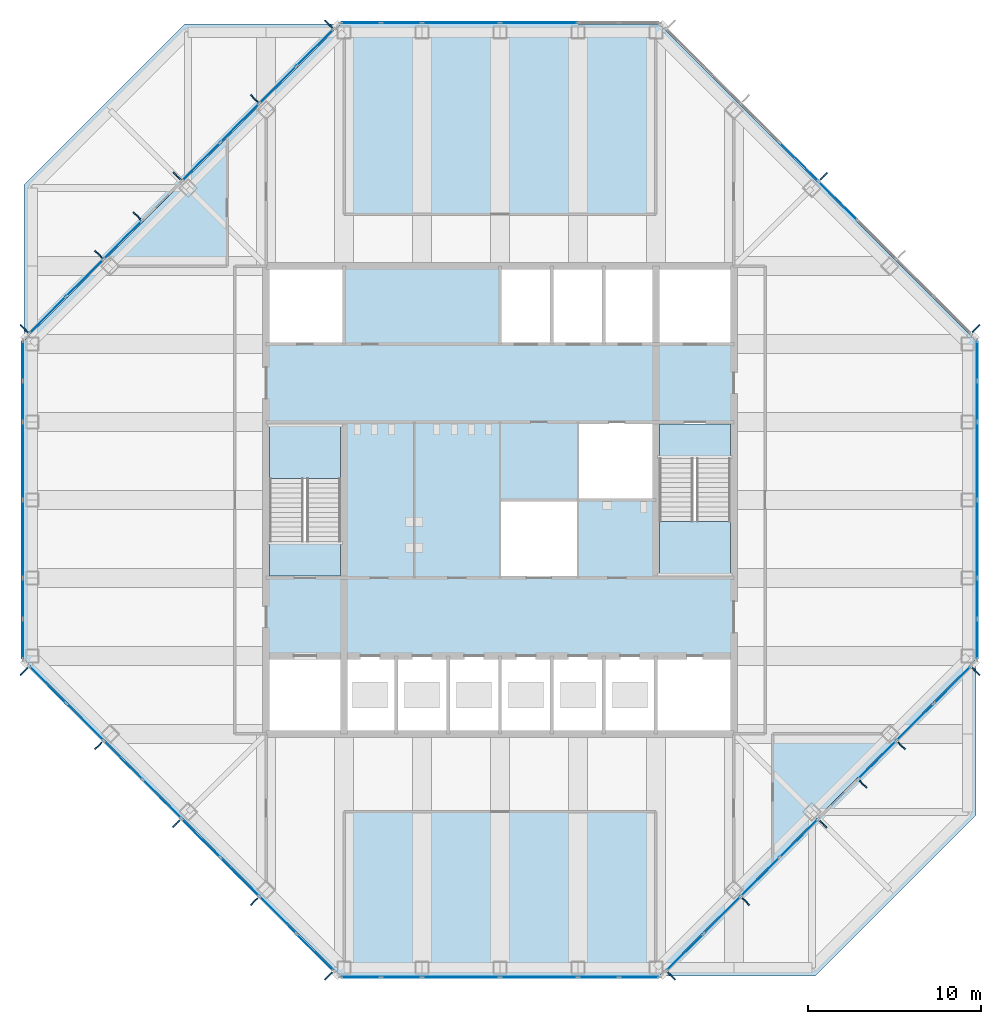
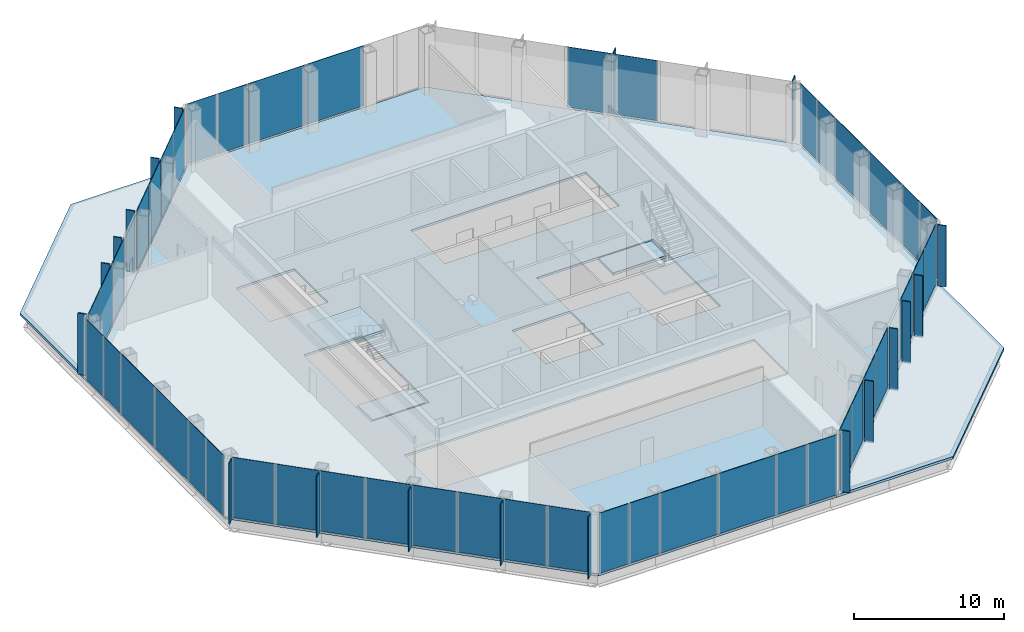
# One storey, part 6 of 12: 65 plates, 7 slabs, 12 elements without a shape of their own.
"""IFC4 building model written with IfcOpenShell, lengths in metres."""

from ifc_helpers import new_model, si_unit, direction, frame, origin, origin_2d, place, context, subcontext, project, spatial, polyline, rectangle, outline, extrude, material, layer, layer_set, type_object, element, aggregate, save


model = new_model("IFC4")

# Units and contexts
model_context = context("Model", 3, precision=1e-05, world=origin(), true_north=direction((0.0, 1.0)))
body_context = subcontext(model_context, "Body", "Model", "MODEL_VIEW")
ifc_project = project(units=[si_unit("LENGTHUNIT", "METRE"), si_unit("AREAUNIT", "SQUARE_METRE"), si_unit("VOLUMEUNIT", "CUBIC_METRE"), si_unit("PLANEANGLEUNIT", "RADIAN"), si_unit("MASSUNIT", "GRAM", prefix="KILO")], contexts=[model_context])

# Site, building, storey
site_placement = place(None, origin())
site = spatial("IfcSite", under=ifc_project, at=site_placement, CompositionType="ELEMENT")
building_placement = place(site_placement, origin())
building = spatial("IfcBuilding", under=site, at=building_placement, Name="Corais Broadcast Tower", CompositionType="ELEMENT")
storey_placement = place(building_placement, frame((0.0, 0.0, 205.60009765625)))
storey = spatial("IfcBuildingStorey", under=building, at=storey_placement, Name="L47", CompositionType="ELEMENT", Elevation=205.60009765625)

# Slab
ifc_material_1 = material(Name="Concrete C30/37", Category="concrete")
ifc_layer_1 = layer(ifc_material_1, 0.179931640625)
ifc_layer_set_1 = layer_set([ifc_layer_1], Name="Concrete C30/37")
slab_type_1 = type_object("IfcSlabType", Name="Composite floor slab 180", PredefinedType="FLOOR", material=ifc_layer_set_1)
slab_1_placement = place(storey_placement, frame((0.0, 0.0, -0.18017578125)))
element("IfcSlab", 1, at=slab_1_placement, inside=storey, type_object=slab_type_1, Name="S180 floor slab L47", PredefinedType="FLOOR", context=body_context, shape_type="SweptSolid", body=[
    extrude(outline(polyline([(17.80126953125, -0.47998046875), (-0.47998046875, 17.80126953125), (-0.47998046875, 36.19873046875), (17.80126953125, 54.47998046875), (36.19873046875, 54.47998046875), (54.47998046875, 36.19873046875), (54.47998046875, 17.80126953125), (36.19873046875, -0.47998046875), (17.80126953125, -0.47998046875)]), holes=[polyline([(13.5, 18.0), (40.5, 18.0), (40.5, 13.5), (13.5, 13.5), (13.5, 18.0)]), polyline([(18.0, 22.5), (13.5, 22.5), (13.5, 31.5), (18.0, 31.5), (18.0, 22.5)]), polyline([(18.0, 36.0), (13.5, 36.0), (13.5, 40.5), (18.0, 40.5), (18.0, 36.0)]), polyline([(31.5, 22.5), (27.0, 22.5), (27.0, 27.0), (31.4951171875, 27.0), (31.4951171875, 27.0048828125), (31.5, 27.0048828125), (31.5, 31.5), (40.5, 31.5), (40.5, 22.5), (36.0, 22.5), (36.0, 27.0), (31.5048828125, 27.0), (31.5048828125, 26.9951171875), (31.5, 26.9951171875), (31.5, 22.5)]), polyline([(27.0, 40.5), (40.5, 40.5), (40.5, 36.0), (27.0, 36.0), (27.0, 40.5)])]), origin(), (0.0, 0.0, 1.0), 0.18017578125),
])

# Curtain wall, plates
ifc_material_2 = material(Name="Aluminium and glass", Category="aluminium")
curtain_wall_type = type_object("IfcCurtainWallType", Name="Sky lobby curtain wall CW4", PredefinedType="NOTDEFINED", material=ifc_material_2)
curtain_wall_1_placement = place(storey_placement, origin())
curtain_wall_1 = element("IfcCurtainWall", 2, at=curtain_wall_1_placement, inside=storey, type_object=curtain_wall_type, Name="CW4 curtain wall L47 1", PredefinedType="NOTDEFINED")
ifc_material_3 = material(Name="Ceramic-fritted laminated glass", Category="glass")
ifc_layer_2 = layer(ifc_material_3, 0.035888671875)
ifc_layer_set_2 = layer_set([ifc_layer_2], Name="Ceramic-fritted laminated glass")
plate_type_1 = type_object("IfcPlateType", Name="Fritted glass panel CW4", PredefinedType="CURTAIN_PANEL", material=ifc_layer_set_2)
plate_1_placement = place(storey_placement, frame((16.32763671875, 0.89453125, 0.079833984375), z_axis=(0.0, 0.0, 1.0), x_axis=(-0.707106781187, 0.707106781187, 0.0)))
plate_1 = element("IfcPlate", 3, at=plate_1_placement, type_object=plate_type_1, Name="CW4 panel 1", PredefinedType="CURTAIN_PANEL", context=body_context, shape_type="SweptSolid", body=[
    extrude(rectangle(XDim=2.92578125, YDim=0.035888671875, at=origin_2d()), origin(), (0.0, 0.0, 1.0), 4.919921875),
])
plate_2_placement = place(storey_placement, frame((11.986083984375, 5.236083984375, 0.079833984375), z_axis=(0.0, 0.0, 1.0), x_axis=(-0.707106781187, 0.707106781187, 0.0)))
plate_2 = element("IfcPlate", 4, at=plate_2_placement, type_object=plate_type_1, Name="CW4 panel 3", PredefinedType="CURTAIN_PANEL", context=body_context, shape_type="SweptSolid", body=[
    extrude(rectangle(XDim=3.10205078125, YDim=0.035888671875, at=origin_2d()), origin(), (0.0, 0.0, 1.0), 4.919921875),
])
plate_3_placement = place(storey_placement, frame((7.486083984375, 9.736083984375, 0.079833984375), z_axis=(0.0, 0.0, 1.0), x_axis=(-0.707106781187, 0.707106781187, 0.0)))
plate_3 = element("IfcPlate", 5, at=plate_3_placement, type_object=plate_type_1, Name="CW4 panel 5", PredefinedType="CURTAIN_PANEL", context=body_context, shape_type="SweptSolid", body=[
    extrude(rectangle(XDim=3.10205078125, YDim=0.035888671875, at=origin_2d()), origin(), (0.0, 0.0, 1.0), 4.919921875),
])
plate_4_placement = place(storey_placement, frame((3.0341796875, 14.18798828125, 0.079833984375), z_axis=(0.0, 0.0, 1.0), x_axis=(-0.707106781187, 0.707106781187, 0.0)))
plate_4 = element("IfcPlate", 6, at=plate_4_placement, type_object=plate_type_1, Name="CW4 panel 7", PredefinedType="CURTAIN_PANEL", context=body_context, shape_type="SweptSolid", body=[
    extrude(rectangle(XDim=2.9658203125, YDim=0.035888671875, at=origin_2d()), origin(), (0.0, 0.0, 1.0), 4.919921875),
])

curtain_wall_2_placement = place(storey_placement, origin())
curtain_wall_2 = element("IfcCurtainWall", 7, at=curtain_wall_2_placement, inside=storey, type_object=curtain_wall_type, Name="CW4 curtain wall L47 2", PredefinedType="NOTDEFINED")
plate_5_placement = place(storey_placement, frame((-0.550048828125, 18.97412109375, 0.079833984375), z_axis=(0.0, 0.0, 1.0), x_axis=(0.0, 1.0, 0.0)))
plate_5 = element("IfcPlate", 8, at=plate_5_placement, type_object=plate_type_1, Name="CW4 panel 1", PredefinedType="CURTAIN_PANEL", context=body_context, shape_type="SweptSolid", body=[
    extrude(rectangle(XDim=2.243896484375, YDim=0.035888671875, at=origin_2d()), origin(), (0.0, 0.0, 1.0), 4.919921875),
])
plate_6_placement = place(storey_placement, frame((-0.550048828125, 24.75, 0.079833984375), z_axis=(0.0, 0.0, 1.0), x_axis=(0.0, 1.0, 0.0)))
plate_6 = element("IfcPlate", 9, at=plate_6_placement, type_object=plate_type_1, Name="CW4 panel 3", PredefinedType="CURTAIN_PANEL", context=body_context, shape_type="SweptSolid", body=[
    extrude(rectangle(XDim=4.419921875, YDim=0.035888671875, at=origin_2d()), origin(), (0.0, 0.0, 1.0), 4.919921875),
])
plate_7_placement = place(storey_placement, frame((-0.550048828125, 32.681884765625, 0.079833984375), z_axis=(0.0, 0.0, 1.0), x_axis=(0.0, 1.0, 0.0)))
plate_7 = element("IfcPlate", 10, at=plate_7_placement, type_object=plate_type_1, Name="CW4 panel 5", PredefinedType="CURTAIN_PANEL", context=body_context, shape_type="SweptSolid", body=[
    extrude(rectangle(XDim=2.283935546875, YDim=0.035888671875, at=origin_2d()), origin(), (0.0, 0.0, 1.0), 4.919921875),
])

curtain_wall_3_placement = place(storey_placement, origin())
curtain_wall_3 = element("IfcCurtainWall", 11, at=curtain_wall_3_placement, inside=storey, type_object=curtain_wall_type, Name="CW4 curtain wall L47 3", PredefinedType="NOTDEFINED")
plate_8_placement = place(storey_placement, frame((0.89453125, 37.67236328125, 0.079833984375), z_axis=(0.0, 0.0, 1.0), x_axis=(0.707106781187, 0.707106781187, 0.0)))
plate_8 = element("IfcPlate", 12, at=plate_8_placement, type_object=plate_type_1, Name="CW4 panel 1", PredefinedType="CURTAIN_PANEL", context=body_context, shape_type="SweptSolid", body=[
    extrude(rectangle(XDim=2.92578125, YDim=0.035888671875, at=origin_2d()), origin(), (0.0, 0.0, 1.0), 4.919921875),
])
plate_9_placement = place(storey_placement, frame((5.221923828125, 41.999755859375, 0.079833984375), z_axis=(0.0, 0.0, 1.0), x_axis=(0.707106781187, 0.707106781187, 0.0)))
plate_9 = element("IfcPlate", 13, at=plate_9_placement, type_object=plate_type_1, Name="CW4 panel 3", PredefinedType="CURTAIN_PANEL", context=body_context, shape_type="SweptSolid", body=[
    extrude(rectangle(XDim=3.06201171875, YDim=0.035888671875, at=origin_2d()), origin(), (0.0, 0.0, 1.0), 4.919921875),
])

curtain_wall_4_placement = place(storey_placement, origin())
curtain_wall_4 = element("IfcCurtainWall", 14, at=curtain_wall_4_placement, inside=storey, type_object=curtain_wall_type, Name="CW4 curtain wall L47 3", PredefinedType="NOTDEFINED")
plate_10_placement = place(storey_placement, frame((9.750244140625, 46.528076171875, 0.079833984375), z_axis=(0.0, 0.0, 1.0), x_axis=(0.707106781187, 0.707106781187, 0.0)))
plate_10 = element("IfcPlate", 15, at=plate_10_placement, type_object=plate_type_1, Name="CW4 panel 1", PredefinedType="CURTAIN_PANEL", context=body_context, shape_type="SweptSolid", body=[
    extrude(rectangle(XDim=3.06201171875, YDim=0.035888671875, at=origin_2d()), origin(), (0.0, 0.0, 1.0), 4.919921875),
])
plate_11_placement = place(storey_placement, frame((14.18798828125, 50.9658203125, 0.079833984375), z_axis=(0.0, 0.0, 1.0), x_axis=(0.707106781187, 0.707106781187, 0.0)))
plate_11 = element("IfcPlate", 16, at=plate_11_placement, type_object=plate_type_1, Name="CW4 panel 3", PredefinedType="CURTAIN_PANEL", context=body_context, shape_type="SweptSolid", body=[
    extrude(rectangle(XDim=2.9658203125, YDim=0.035888671875, at=origin_2d()), origin(), (0.0, 0.0, 1.0), 4.919921875),
])

curtain_wall_5_placement = place(storey_placement, origin())
curtain_wall_5 = element("IfcCurtainWall", 17, at=curtain_wall_5_placement, inside=storey, type_object=curtain_wall_type, Name="CW4 curtain wall L47 4", PredefinedType="NOTDEFINED")
plate_12_placement = place(storey_placement, frame((18.97412109375, 54.550048828125, 0.079833984375), z_axis=(0.0, 0.0, 1.0), x_axis=(1.0, 0.0, 0.0)))
plate_12 = element("IfcPlate", 18, at=plate_12_placement, type_object=plate_type_1, Name="CW4 panel 1", PredefinedType="CURTAIN_PANEL", context=body_context, shape_type="SweptSolid", body=[
    extrude(rectangle(XDim=2.243896484375, YDim=0.035888671875, at=origin_2d()), origin(), (0.0, 0.0, 1.0), 4.919921875),
])
plate_13_placement = place(storey_placement, frame((24.75, 54.550048828125, 0.079833984375), z_axis=(0.0, 0.0, 1.0), x_axis=(1.0, 0.0, 0.0)))
plate_13 = element("IfcPlate", 19, at=plate_13_placement, type_object=plate_type_1, Name="CW4 panel 3", PredefinedType="CURTAIN_PANEL", context=body_context, shape_type="SweptSolid", body=[
    extrude(rectangle(XDim=4.419921875, YDim=0.035888671875, at=origin_2d()), origin(), (0.0, 0.0, 1.0), 4.919921875),
])

# Curtain wall, plate
curtain_wall_6_placement = place(storey_placement, origin())
curtain_wall_6 = element("IfcCurtainWall", 20, at=curtain_wall_6_placement, inside=storey, type_object=curtain_wall_type, Name="CW4 curtain wall L47 5", PredefinedType="NOTDEFINED")
plate_14_placement = place(storey_placement, frame((46.513916015625, 44.263916015625, 0.079833984375), z_axis=(0.0, 0.0, 1.0), x_axis=(0.707106781187, -0.707106781187, 0.0)))
plate_14 = element("IfcPlate", 21, at=plate_14_placement, type_object=plate_type_1, Name="CW4 panel 5", PredefinedType="CURTAIN_PANEL", context=body_context, shape_type="SweptSolid", body=[
    extrude(rectangle(XDim=3.10205078125, YDim=0.035888671875, at=origin_2d()), origin(), (0.0, 0.0, 1.0), 4.919921875),
])

# Curtain wall, plates
curtain_wall_7_placement = place(storey_placement, origin())
curtain_wall_7 = element("IfcCurtainWall", 22, at=curtain_wall_7_placement, inside=storey, type_object=curtain_wall_type, Name="CW4 curtain wall L47 6", PredefinedType="NOTDEFINED")
plate_15_placement = place(storey_placement, frame((54.550048828125, 35.02587890625, 0.079833984375), z_axis=(0.0, 0.0, 1.0), x_axis=(0.0, -1.0, 0.0)))
plate_15 = element("IfcPlate", 23, at=plate_15_placement, type_object=plate_type_1, Name="CW4 panel 1", PredefinedType="CURTAIN_PANEL", context=body_context, shape_type="SweptSolid", body=[
    extrude(rectangle(XDim=2.243896484375, YDim=0.035888671875, at=origin_2d()), origin(), (0.0, 0.0, 1.0), 4.919921875),
])
plate_16_placement = place(storey_placement, frame((54.550048828125, 29.25, 0.079833984375), z_axis=(0.0, 0.0, 1.0), x_axis=(0.0, -1.0, 0.0)))
plate_16 = element("IfcPlate", 24, at=plate_16_placement, type_object=plate_type_1, Name="CW4 panel 3", PredefinedType="CURTAIN_PANEL", context=body_context, shape_type="SweptSolid", body=[
    extrude(rectangle(XDim=4.419921875, YDim=0.035888671875, at=origin_2d()), origin(), (0.0, 0.0, 1.0), 4.919921875),
])
plate_17_placement = place(storey_placement, frame((54.550048828125, 21.318115234375, 0.079833984375), z_axis=(0.0, 0.0, 1.0), x_axis=(0.0, -1.0, 0.0)))
plate_17 = element("IfcPlate", 25, at=plate_17_placement, type_object=plate_type_1, Name="CW4 panel 5", PredefinedType="CURTAIN_PANEL", context=body_context, shape_type="SweptSolid", body=[
    extrude(rectangle(XDim=2.283935546875, YDim=0.035888671875, at=origin_2d()), origin(), (0.0, 0.0, 1.0), 4.919921875),
])

curtain_wall_8_placement = place(storey_placement, origin())
curtain_wall_8 = element("IfcCurtainWall", 26, at=curtain_wall_8_placement, inside=storey, type_object=curtain_wall_type, Name="CW4 curtain wall L47 7", PredefinedType="NOTDEFINED")
plate_18_placement = place(storey_placement, frame((53.10546875, 16.32763671875, 0.079833984375), z_axis=(0.0, 0.0, 1.0), x_axis=(-0.707106781187, -0.707106781187, 0.0)))
plate_18 = element("IfcPlate", 27, at=plate_18_placement, type_object=plate_type_1, Name="CW4 panel 1", PredefinedType="CURTAIN_PANEL", context=body_context, shape_type="SweptSolid", body=[
    extrude(rectangle(XDim=2.92578125, YDim=0.035888671875, at=origin_2d()), origin(), (0.0, 0.0, 1.0), 4.919921875),
])
plate_19_placement = place(storey_placement, frame((48.778076171875, 12.000244140625, 0.079833984375), z_axis=(0.0, 0.0, 1.0), x_axis=(-0.707106781187, -0.707106781187, 0.0)))
plate_19 = element("IfcPlate", 28, at=plate_19_placement, type_object=plate_type_1, Name="CW4 panel 3", PredefinedType="CURTAIN_PANEL", context=body_context, shape_type="SweptSolid", body=[
    extrude(rectangle(XDim=3.06201171875, YDim=0.035888671875, at=origin_2d()), origin(), (0.0, 0.0, 1.0), 4.919921875),
])

curtain_wall_9_placement = place(storey_placement, origin())
curtain_wall_9 = element("IfcCurtainWall", 29, at=curtain_wall_9_placement, inside=storey, type_object=curtain_wall_type, Name="CW4 curtain wall L47 7", PredefinedType="NOTDEFINED")
plate_20_placement = place(storey_placement, frame((44.249755859375, 7.471923828125, 0.079833984375), z_axis=(0.0, 0.0, 1.0), x_axis=(-0.707106781187, -0.707106781187, 0.0)))
plate_20 = element("IfcPlate", 30, at=plate_20_placement, type_object=plate_type_1, Name="CW4 panel 1", PredefinedType="CURTAIN_PANEL", context=body_context, shape_type="SweptSolid", body=[
    extrude(rectangle(XDim=3.06201171875, YDim=0.035888671875, at=origin_2d()), origin(), (0.0, 0.0, 1.0), 4.919921875),
])
plate_21_placement = place(storey_placement, frame((39.81201171875, 3.0341796875, 0.079833984375), z_axis=(0.0, 0.0, 1.0), x_axis=(-0.707106781187, -0.707106781187, 0.0)))
plate_21 = element("IfcPlate", 31, at=plate_21_placement, type_object=plate_type_1, Name="CW4 panel 3", PredefinedType="CURTAIN_PANEL", context=body_context, shape_type="SweptSolid", body=[
    extrude(rectangle(XDim=2.9658203125, YDim=0.035888671875, at=origin_2d()), origin(), (0.0, 0.0, 1.0), 4.919921875),
])

curtain_wall_10_placement = place(storey_placement, origin())
curtain_wall_10 = element("IfcCurtainWall", 32, at=curtain_wall_10_placement, inside=storey, type_object=curtain_wall_type, Name="CW4 curtain wall L47 8", PredefinedType="NOTDEFINED")
plate_22_placement = place(storey_placement, frame((35.02587890625, -0.550048828125, 0.079833984375), z_axis=(0.0, 0.0, 1.0), x_axis=(-1.0, 0.0, 0.0)))
plate_22 = element("IfcPlate", 33, at=plate_22_placement, type_object=plate_type_1, Name="CW4 panel 1", PredefinedType="CURTAIN_PANEL", context=body_context, shape_type="SweptSolid", body=[
    extrude(rectangle(XDim=2.243896484375, YDim=0.035888671875, at=origin_2d()), origin(), (0.0, 0.0, 1.0), 4.919921875),
])
plate_23_placement = place(storey_placement, frame((29.25, -0.550048828125, 0.079833984375), z_axis=(0.0, 0.0, 1.0), x_axis=(-1.0, 0.0, 0.0)))
plate_23 = element("IfcPlate", 34, at=plate_23_placement, type_object=plate_type_1, Name="CW4 panel 3", PredefinedType="CURTAIN_PANEL", context=body_context, shape_type="SweptSolid", body=[
    extrude(rectangle(XDim=4.419921875, YDim=0.035888671875, at=origin_2d()), origin(), (0.0, 0.0, 1.0), 4.919921875),
])
plate_24_placement = place(storey_placement, frame((21.318115234375, -0.550048828125, 0.079833984375), z_axis=(0.0, 0.0, 1.0), x_axis=(-1.0, 0.0, 0.0)))
plate_24 = element("IfcPlate", 35, at=plate_24_placement, type_object=plate_type_1, Name="CW4 panel 5", PredefinedType="CURTAIN_PANEL", context=body_context, shape_type="SweptSolid", body=[
    extrude(rectangle(XDim=2.283935546875, YDim=0.035888671875, at=origin_2d()), origin(), (0.0, 0.0, 1.0), 4.919921875),
])

# Plate
ifc_material_4 = material(Name="Clear laminated glass", Category="glass")
ifc_layer_3 = layer(ifc_material_4, 0.0400390625)
ifc_layer_set_3 = layer_set([ifc_layer_3], Name="Clear laminated glass")
plate_type_2 = type_object("IfcPlateType", Name="Operable glass panel CW4", PredefinedType="CURTAIN_PANEL", material=ifc_layer_set_3)
plate_25_placement = place(storey_placement, frame((14.18798828125, 3.0341796875, 0.079833984375), z_axis=(0.0, 0.0, 1.0), x_axis=(-0.707106781187, 0.707106781187, 0.0)))
plate_25 = element("IfcPlate", 36, at=plate_25_placement, type_object=plate_type_2, Name="CW4 operable panel 2", PredefinedType="CURTAIN_PANEL", context=body_context, shape_type="SweptSolid", body=[
    extrude(rectangle(XDim=2.9658203125, YDim=0.0400390625, at=origin_2d()), origin(), (0.0, 0.0, 1.0), 4.919921875),
])

plate_26_placement = place(storey_placement, frame((9.736083984375, 7.486083984375, 0.079833984375), z_axis=(0.0, 0.0, 1.0), x_axis=(-0.707106781187, 0.707106781187, 0.0)))
plate_26 = element("IfcPlate", 37, at=plate_26_placement, type_object=plate_type_2, Name="CW4 operable panel 4", PredefinedType="CURTAIN_PANEL", context=body_context, shape_type="SweptSolid", body=[
    extrude(rectangle(XDim=3.10205078125, YDim=0.0400390625, at=origin_2d()), origin(), (0.0, 0.0, 1.0), 4.919921875),
])

plate_27_placement = place(storey_placement, frame((5.236083984375, 11.986083984375, 0.079833984375), z_axis=(0.0, 0.0, 1.0), x_axis=(-0.707106781187, 0.707106781187, 0.0)))
plate_27 = element("IfcPlate", 38, at=plate_27_placement, type_object=plate_type_2, Name="CW4 operable panel 6", PredefinedType="CURTAIN_PANEL", context=body_context, shape_type="SweptSolid", body=[
    extrude(rectangle(XDim=3.10205078125, YDim=0.0400390625, at=origin_2d()), origin(), (0.0, 0.0, 1.0), 4.919921875),
])

plate_28_placement = place(storey_placement, frame((0.89453125, 16.32763671875, 0.079833984375), z_axis=(0.0, 0.0, 1.0), x_axis=(-0.707106781187, 0.707106781187, 0.0)))
plate_28 = element("IfcPlate", 39, at=plate_28_placement, type_object=plate_type_2, Name="CW4 operable panel 8", PredefinedType="CURTAIN_PANEL", context=body_context, shape_type="SweptSolid", body=[
    extrude(rectangle(XDim=2.92578125, YDim=0.0400390625, at=origin_2d()), origin(), (0.0, 0.0, 1.0), 4.919921875),
])

aggregate(curtain_wall_1, [plate_1, plate_25, plate_2, plate_26, plate_3, plate_27, plate_4, plate_28])

plate_29_placement = place(storey_placement, frame((-0.550048828125, 21.318115234375, 0.079833984375), z_axis=(0.0, 0.0, 1.0), x_axis=(0.0, 1.0, 0.0)))
plate_29 = element("IfcPlate", 40, at=plate_29_placement, type_object=plate_type_2, Name="CW4 operable panel 2", PredefinedType="CURTAIN_PANEL", context=body_context, shape_type="SweptSolid", body=[
    extrude(rectangle(XDim=2.283935546875, YDim=0.0400390625, at=origin_2d()), origin(), (0.0, 0.0, 1.0), 4.919921875),
])

plate_30_placement = place(storey_placement, frame((-0.550048828125, 29.25, 0.079833984375), z_axis=(0.0, 0.0, 1.0), x_axis=(0.0, 1.0, 0.0)))
plate_30 = element("IfcPlate", 41, at=plate_30_placement, type_object=plate_type_2, Name="CW4 operable panel 4", PredefinedType="CURTAIN_PANEL", context=body_context, shape_type="SweptSolid", body=[
    extrude(rectangle(XDim=4.419921875, YDim=0.0400390625, at=origin_2d()), origin(), (0.0, 0.0, 1.0), 4.919921875),
])

plate_31_placement = place(storey_placement, frame((-0.550048828125, 35.02587890625, 0.079833984375), z_axis=(0.0, 0.0, 1.0), x_axis=(0.0, 1.0, 0.0)))
plate_31 = element("IfcPlate", 42, at=plate_31_placement, type_object=plate_type_2, Name="CW4 operable panel 6", PredefinedType="CURTAIN_PANEL", context=body_context, shape_type="SweptSolid", body=[
    extrude(rectangle(XDim=2.243896484375, YDim=0.0400390625, at=origin_2d()), origin(), (0.0, 0.0, 1.0), 4.919921875),
])

aggregate(curtain_wall_2, [plate_5, plate_29, plate_6, plate_30, plate_7, plate_31])

plate_32_placement = place(storey_placement, frame((3.0341796875, 39.81201171875, 0.079833984375), z_axis=(0.0, 0.0, 1.0), x_axis=(0.707106781187, 0.707106781187, 0.0)))
plate_32 = element("IfcPlate", 43, at=plate_32_placement, type_object=plate_type_2, Name="CW4 operable panel 2", PredefinedType="CURTAIN_PANEL", context=body_context, shape_type="SweptSolid", body=[
    extrude(rectangle(XDim=2.9658203125, YDim=0.0400390625, at=origin_2d()), origin(), (0.0, 0.0, 1.0), 4.919921875),
])

aggregate(curtain_wall_3, [plate_8, plate_32, plate_9])

plate_33_placement = place(storey_placement, frame((11.986083984375, 48.763916015625, 0.079833984375), z_axis=(0.0, 0.0, 1.0), x_axis=(0.707106781187, 0.707106781187, 0.0)))
plate_33 = element("IfcPlate", 44, at=plate_33_placement, type_object=plate_type_2, Name="CW4 operable panel 2", PredefinedType="CURTAIN_PANEL", context=body_context, shape_type="SweptSolid", body=[
    extrude(rectangle(XDim=3.10205078125, YDim=0.0400390625, at=origin_2d()), origin(), (0.0, 0.0, 1.0), 4.919921875),
])

plate_34_placement = place(storey_placement, frame((16.32763671875, 53.10546875, 0.079833984375), z_axis=(0.0, 0.0, 1.0), x_axis=(0.707106781187, 0.707106781187, 0.0)))
plate_34 = element("IfcPlate", 45, at=plate_34_placement, type_object=plate_type_2, Name="CW4 operable panel 4", PredefinedType="CURTAIN_PANEL", context=body_context, shape_type="SweptSolid", body=[
    extrude(rectangle(XDim=2.92578125, YDim=0.0400390625, at=origin_2d()), origin(), (0.0, 0.0, 1.0), 4.919921875),
])

aggregate(curtain_wall_4, [plate_10, plate_33, plate_11, plate_34])

plate_35_placement = place(storey_placement, frame((21.318115234375, 54.550048828125, 0.079833984375), z_axis=(0.0, 0.0, 1.0), x_axis=(1.0, 0.0, 0.0)))
plate_35 = element("IfcPlate", 46, at=plate_35_placement, type_object=plate_type_2, Name="CW4 operable panel 2", PredefinedType="CURTAIN_PANEL", context=body_context, shape_type="SweptSolid", body=[
    extrude(rectangle(XDim=2.283935546875, YDim=0.0400390625, at=origin_2d()), origin(), (0.0, 0.0, 1.0), 4.919921875),
])

plate_36_placement = place(storey_placement, frame((29.25, 54.550048828125, 0.079833984375), z_axis=(0.0, 0.0, 1.0), x_axis=(1.0, 0.0, 0.0)))
plate_36 = element("IfcPlate", 47, at=plate_36_placement, type_object=plate_type_2, Name="CW4 operable panel 4", PredefinedType="CURTAIN_PANEL", context=body_context, shape_type="SweptSolid", body=[
    extrude(rectangle(XDim=4.419921875, YDim=0.0400390625, at=origin_2d()), origin(), (0.0, 0.0, 1.0), 4.919921875),
])

aggregate(curtain_wall_5, [plate_12, plate_35, plate_13, plate_36])

plate_37_placement = place(storey_placement, frame((44.263916015625, 46.513916015625, 0.079833984375), z_axis=(0.0, 0.0, 1.0), x_axis=(0.707106781187, -0.707106781187, 0.0)))
plate_37 = element("IfcPlate", 48, at=plate_37_placement, type_object=plate_type_2, Name="CW4 operable panel 4", PredefinedType="CURTAIN_PANEL", context=body_context, shape_type="SweptSolid", body=[
    extrude(rectangle(XDim=3.10205078125, YDim=0.0400390625, at=origin_2d()), origin(), (0.0, 0.0, 1.0), 4.919921875),
])

aggregate(curtain_wall_6, [plate_37, plate_14])

plate_38_placement = place(storey_placement, frame((54.550048828125, 32.681884765625, 0.079833984375), z_axis=(0.0, 0.0, 1.0), x_axis=(0.0, -1.0, 0.0)))
plate_38 = element("IfcPlate", 49, at=plate_38_placement, type_object=plate_type_2, Name="CW4 operable panel 2", PredefinedType="CURTAIN_PANEL", context=body_context, shape_type="SweptSolid", body=[
    extrude(rectangle(XDim=2.283935546875, YDim=0.0400390625, at=origin_2d()), origin(), (0.0, 0.0, 1.0), 4.919921875),
])

plate_39_placement = place(storey_placement, frame((54.550048828125, 24.75, 0.079833984375), z_axis=(0.0, 0.0, 1.0), x_axis=(0.0, -1.0, 0.0)))
plate_39 = element("IfcPlate", 50, at=plate_39_placement, type_object=plate_type_2, Name="CW4 operable panel 4", PredefinedType="CURTAIN_PANEL", context=body_context, shape_type="SweptSolid", body=[
    extrude(rectangle(XDim=4.419921875, YDim=0.0400390625, at=origin_2d()), origin(), (0.0, 0.0, 1.0), 4.919921875),
])

plate_40_placement = place(storey_placement, frame((54.550048828125, 18.97412109375, 0.079833984375), z_axis=(0.0, 0.0, 1.0), x_axis=(0.0, -1.0, 0.0)))
plate_40 = element("IfcPlate", 51, at=plate_40_placement, type_object=plate_type_2, Name="CW4 operable panel 6", PredefinedType="CURTAIN_PANEL", context=body_context, shape_type="SweptSolid", body=[
    extrude(rectangle(XDim=2.243896484375, YDim=0.0400390625, at=origin_2d()), origin(), (0.0, 0.0, 1.0), 4.919921875),
])

aggregate(curtain_wall_7, [plate_15, plate_38, plate_16, plate_39, plate_17, plate_40])

plate_41_placement = place(storey_placement, frame((50.9658203125, 14.18798828125, 0.079833984375), z_axis=(0.0, 0.0, 1.0), x_axis=(-0.707106781187, -0.707106781187, 0.0)))
plate_41 = element("IfcPlate", 52, at=plate_41_placement, type_object=plate_type_2, Name="CW4 operable panel 2", PredefinedType="CURTAIN_PANEL", context=body_context, shape_type="SweptSolid", body=[
    extrude(rectangle(XDim=2.9658203125, YDim=0.0400390625, at=origin_2d()), origin(), (0.0, 0.0, 1.0), 4.919921875),
])

aggregate(curtain_wall_8, [plate_18, plate_41, plate_19])

plate_42_placement = place(storey_placement, frame((42.013916015625, 5.236083984375, 0.079833984375), z_axis=(0.0, 0.0, 1.0), x_axis=(-0.707106781187, -0.707106781187, 0.0)))
plate_42 = element("IfcPlate", 53, at=plate_42_placement, type_object=plate_type_2, Name="CW4 operable panel 2", PredefinedType="CURTAIN_PANEL", context=body_context, shape_type="SweptSolid", body=[
    extrude(rectangle(XDim=3.10205078125, YDim=0.0400390625, at=origin_2d()), origin(), (0.0, 0.0, 1.0), 4.919921875),
])

plate_43_placement = place(storey_placement, frame((37.67236328125, 0.89453125, 0.079833984375), z_axis=(0.0, 0.0, 1.0), x_axis=(-0.707106781187, -0.707106781187, 0.0)))
plate_43 = element("IfcPlate", 54, at=plate_43_placement, type_object=plate_type_2, Name="CW4 operable panel 4", PredefinedType="CURTAIN_PANEL", context=body_context, shape_type="SweptSolid", body=[
    extrude(rectangle(XDim=2.92578125, YDim=0.0400390625, at=origin_2d()), origin(), (0.0, 0.0, 1.0), 4.919921875),
])

aggregate(curtain_wall_9, [plate_20, plate_42, plate_21, plate_43])

plate_44_placement = place(storey_placement, frame((32.681884765625, -0.550048828125, 0.079833984375), z_axis=(0.0, 0.0, 1.0), x_axis=(-1.0, 0.0, 0.0)))
plate_44 = element("IfcPlate", 55, at=plate_44_placement, type_object=plate_type_2, Name="CW4 operable panel 2", PredefinedType="CURTAIN_PANEL", context=body_context, shape_type="SweptSolid", body=[
    extrude(rectangle(XDim=2.283935546875, YDim=0.0400390625, at=origin_2d()), origin(), (0.0, 0.0, 1.0), 4.919921875),
])

plate_45_placement = place(storey_placement, frame((24.75, -0.550048828125, 0.079833984375), z_axis=(0.0, 0.0, 1.0), x_axis=(-1.0, 0.0, 0.0)))
plate_45 = element("IfcPlate", 56, at=plate_45_placement, type_object=plate_type_2, Name="CW4 operable panel 4", PredefinedType="CURTAIN_PANEL", context=body_context, shape_type="SweptSolid", body=[
    extrude(rectangle(XDim=4.419921875, YDim=0.0400390625, at=origin_2d()), origin(), (0.0, 0.0, 1.0), 4.919921875),
])

plate_46_placement = place(storey_placement, frame((18.97412109375, -0.550048828125, 0.079833984375), z_axis=(0.0, 0.0, 1.0), x_axis=(-1.0, 0.0, 0.0)))
plate_46 = element("IfcPlate", 57, at=plate_46_placement, type_object=plate_type_2, Name="CW4 operable panel 6", PredefinedType="CURTAIN_PANEL", context=body_context, shape_type="SweptSolid", body=[
    extrude(rectangle(XDim=2.243896484375, YDim=0.0400390625, at=origin_2d()), origin(), (0.0, 0.0, 1.0), 4.919921875),
])

aggregate(curtain_wall_10, [plate_22, plate_44, plate_23, plate_45, plate_24, plate_46])

# Slabs
ifc_material_5 = material(Name="Concrete C30/37", Category="concrete")
ifc_layer_4 = layer(ifc_material_5, 0.199951171875)
ifc_layer_set_4 = layer_set([ifc_layer_4], Name="Concrete C30/37")
slab_type_2 = type_object("IfcSlabType", Name="Roof slab 200", PredefinedType="ROOF", material=ifc_layer_set_4)
slab_2_placement = place(storey_placement, frame((0.0, 0.0, -0.2001953125)))
element("IfcSlab", 58, at=slab_2_placement, inside=storey, type_object=slab_type_2, Name="RS1 roof over L46 1, maintenance access only", PredefinedType="ROOF", context=body_context, shape_type="SweptSolid", body=[
    extrude(outline(polyline([(-0.47998046875, 45.19873046875), (8.80126953125, 54.47998046875), (17.80126953125, 54.47998046875), (-0.47998046875, 36.19873046875), (-0.47998046875, 45.19873046875)])), origin(), (0.0, 0.0, 1.0), 0.2001953125),
])
slab_3_placement = place(storey_placement, frame((0.0, 0.0, -0.2001953125)))
element("IfcSlab", 59, at=slab_3_placement, inside=storey, type_object=slab_type_2, Name="RS1 roof over L46 2, maintenance access only", PredefinedType="ROOF", context=body_context, shape_type="SweptSolid", body=[
    extrude(outline(polyline([(54.47998046875, 8.80126953125), (45.19873046875, -0.47998046875), (36.19873046875, -0.47998046875), (54.47998046875, 17.80126953125), (54.47998046875, 8.80126953125)])), origin(), (0.0, 0.0, 1.0), 0.2001953125),
])

# Stair, slabs
ifc_material_6 = material(Name="Concrete C30/37", Category="concrete")
stair_type = type_object("IfcStairType", Name="Half-turn stair 5000", PredefinedType="HALF_TURN_STAIR", material=ifc_material_6)
stair_1_placement = place(storey_placement, origin())
stair_1 = element("IfcStair", 60, at=stair_1_placement, inside=storey, type_object=stair_type, Name="Stair A L47", PredefinedType="HALF_TURN_STAIR")
ifc_material_7 = material(Name="Concrete C30/37", Category="concrete")
ifc_layer_5 = layer(ifc_material_7, 0.199951171875)
ifc_layer_set_5 = layer_set([ifc_layer_5], Name="Concrete C30/37")
slab_type_3 = type_object("IfcSlabType", Name="Stair landing 200", PredefinedType="LANDING", material=ifc_layer_set_5)
slab_4_placement = place(storey_placement, frame((0.0, 0.0, -0.2001953125)))
slab_4 = element("IfcSlab", 61, at=slab_4_placement, type_object=slab_type_3, Name="STA landing 1", PredefinedType="LANDING", context=body_context, shape_type="SweptSolid", body=[
    extrude(outline(polyline([(13.699951171875, 22.60009765625), (17.800048828125, 22.60009765625), (17.800048828125, 24.60009765625), (13.699951171875, 24.60009765625), (13.699951171875, 22.60009765625)])), origin(), (0.0, 0.0, 1.0), 0.2001953125),
])
slab_5_placement = place(storey_placement, frame((0.0, 0.0, 2.2998046875)))
slab_5 = element("IfcSlab", 62, at=slab_5_placement, type_object=slab_type_3, Name="STA landing 2", PredefinedType="LANDING", context=body_context, shape_type="SweptSolid", body=[
    extrude(outline(polyline([(13.699951171875, 28.239990234375), (17.800048828125, 28.239990234375), (17.800048828125, 31.39990234375), (13.699951171875, 31.39990234375), (13.699951171875, 28.239990234375)])), origin(), (0.0, 0.0, 1.0), 0.2001953125),
])
aggregate(stair_1, [slab_4, slab_5])

stair_2_placement = place(storey_placement, origin())
stair_2 = element("IfcStair", 63, at=stair_2_placement, inside=storey, type_object=stair_type, Name="Stair B L47", PredefinedType="HALF_TURN_STAIR")
slab_6_placement = place(storey_placement, frame((0.0, 0.0, -0.2001953125)))
slab_6 = element("IfcSlab", 64, at=slab_6_placement, type_object=slab_type_3, Name="STB landing 1", PredefinedType="LANDING", context=body_context, shape_type="SweptSolid", body=[
    extrude(outline(polyline([(36.199951171875, 29.39990234375), (40.300048828125, 29.39990234375), (40.300048828125, 31.39990234375), (36.199951171875, 31.39990234375), (36.199951171875, 29.39990234375)])), origin(), (0.0, 0.0, 1.0), 0.2001953125),
])
slab_7_placement = place(storey_placement, frame((0.0, 0.0, 2.2998046875)))
slab_7 = element("IfcSlab", 65, at=slab_7_placement, type_object=slab_type_3, Name="STB landing 2", PredefinedType="LANDING", context=body_context, shape_type="SweptSolid", body=[
    extrude(outline(polyline([(36.199951171875, 22.60009765625), (40.300048828125, 22.60009765625), (40.300048828125, 25.760009765625), (36.199951171875, 25.760009765625), (36.199951171875, 22.60009765625)])), origin(), (0.0, 0.0, 1.0), 0.2001953125),
])
aggregate(stair_2, [slab_6, slab_7])

# Plates
ifc_material_8 = material(Name="Granite stone cladding", Category="masonry")
ifc_layer_6 = layer(ifc_material_8, 0.080078125)
ifc_layer_set_6 = layer_set([ifc_layer_6], Name="Granite stone cladding")
plate_type_3 = type_object("IfcPlateType", Name="Stone screen fin 80x600", PredefinedType="USERDEFINED", material=ifc_layer_set_6)
for number, where, z_axis, x_axis, name in (
    (66, (17.091796875, -0.466552734375, 0.0), (0.0, 0.0, 1.0), (-0.707106781187, 0.707106781187, 0.0), "SF1 stone screen fin L47"),
    (67, (12.812744140625, 3.812744140625, 0.0), (0.0, 0.0, 1.0), (-0.707106781187, 0.707106781187, 0.0), "SF1 stone screen fin L47"),
    (68, (8.312744140625, 8.312744140625, 0.0), (0.0, 0.0, 1.0), (-0.707106781187, 0.707106781187, 0.0), "SF1 stone screen fin L47"),
    (69, (3.812744140625, 12.812744140625, 0.0), (0.0, 0.0, 1.0), (-0.707106781187, 0.707106781187, 0.0), "SF1 stone screen fin L47"),
    (70, (-0.466552734375, 17.091796875, 0.0), (0.0, 0.0, 1.0), (-0.707106781187, 0.707106781187, 0.0), "SF1 stone screen fin L47"),
    (71, (-0.466552734375, 36.908203125, 0.0), (0.0, 0.0, 1.0), (0.707106781187, 0.707106781187, 0.0), "SF1 stone screen fin L47"),
    (72, (3.812744140625, 41.187255859375, 0.0), (0.0, 0.0, 1.0), (0.707106781187, 0.707106781187, 0.0), "SF1 stone screen fin L47"),
    (73, (6.034423828125, 43.408935546875, 0.0), (0.0, 0.0, 1.0), (0.707106781187, 0.707106781187, 0.0), "SF1 stone screen fin L47"),
    (74, (8.341064453125, 45.715576171875, 0.0), (0.0, 0.0, 1.0), (0.707106781187, 0.707106781187, 0.0), "SF1 stone screen fin L47"),
    (75, (12.812744140625, 50.187255859375, 0.0), (0.0, 0.0, 1.0), (0.707106781187, 0.707106781187, 0.0), "SF1 stone screen fin L47"),
    (76, (17.091796875, 54.466552734375, 0.0), (0.0, 0.0, 1.0), (0.707106781187, 0.707106781187, 0.0), "SF1 stone screen fin L47"),
    (77, (45.687255859375, 45.687255859375, 0.0), (0.0, 0.0, 1.0), (0.707106781187, -0.707106781187, 0.0), "SF1 stone screen fin L47"),
    (78, (54.466552734375, 36.908203125, 0.0), (0.0, 0.0, 1.0), (0.707106781187, -0.707106781187, 0.0), "SF1 stone screen fin L47"),
    (79, (54.466552734375, 17.091796875, 0.0), (0.0, 0.0, 1.0), (-0.707106781187, -0.707106781187, 0.0), "SF1 stone screen fin L47"),
    (80, (50.187255859375, 12.812744140625, 0.0), (0.0, 0.0, 1.0), (-0.707106781187, -0.707106781187, 0.0), "SF1 stone screen fin L47"),
    (81, (47.965576171875, 10.591064453125, 0.0), (0.0, 0.0, 1.0), (-0.707106781187, -0.707106781187, 0.0), "SF1 stone screen fin L47"),
    (82, (45.658935546875, 8.284423828125, 0.0), (0.0, 0.0, 1.0), (-0.707106781187, -0.707106781187, 0.0), "SF1 stone screen fin L47"),
    (83, (41.187255859375, 3.812744140625, 0.0), (0.0, 0.0, 1.0), (-0.707106781187, -0.707106781187, 0.0), "SF1 stone screen fin L47"),
    (84, (36.908203125, -0.466552734375, 0.0), (0.0, 0.0, 1.0), (-0.707106781187, -0.707106781187, 0.0), "SF1 stone screen fin L47"),
):
    element("IfcPlate", number, at=place(storey_placement, frame(where, z_axis=z_axis, x_axis=x_axis)), inside=storey, type_object=plate_type_3, Name=name, ObjectType="STONE SCREEN FIN", PredefinedType="USERDEFINED", context=body_context, shape_type="SweptSolid", body=[
        extrude(rectangle(XDim=0.080078125, YDim=0.60009765625, at=origin_2d()), origin(), (0.0, 0.0, 1.0), 5.0),
    ])

save(model, "model.ifc")
